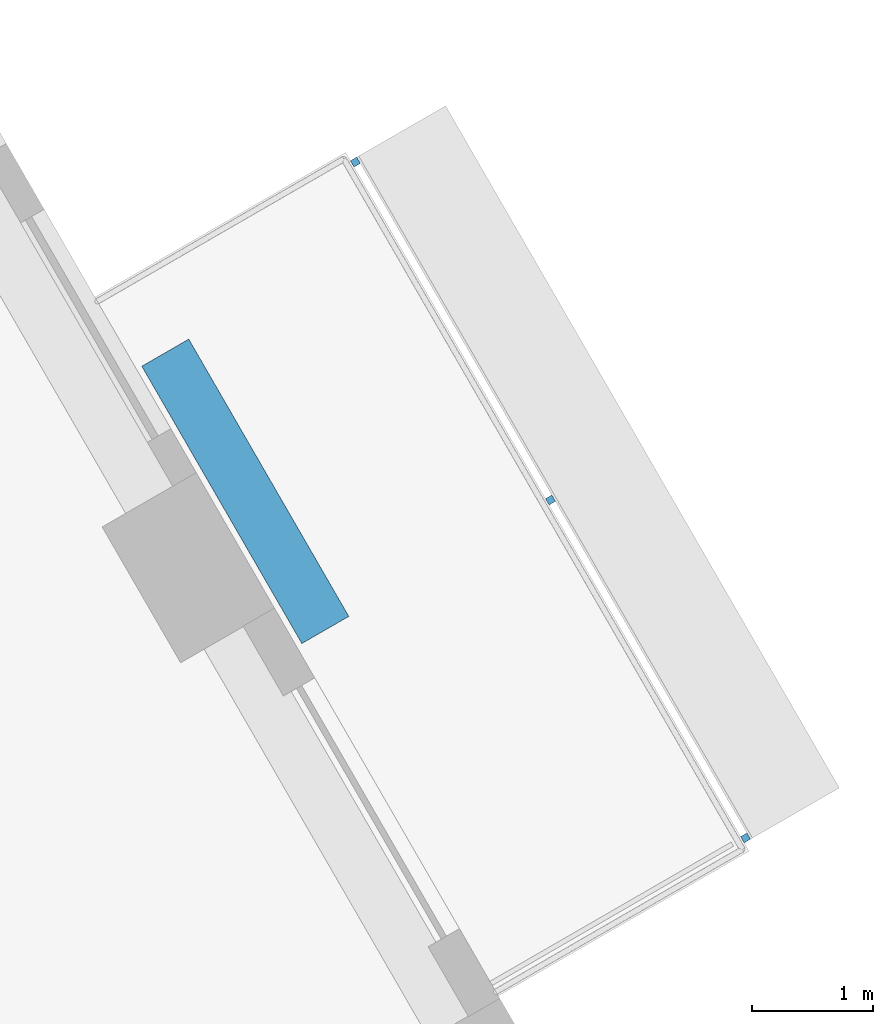
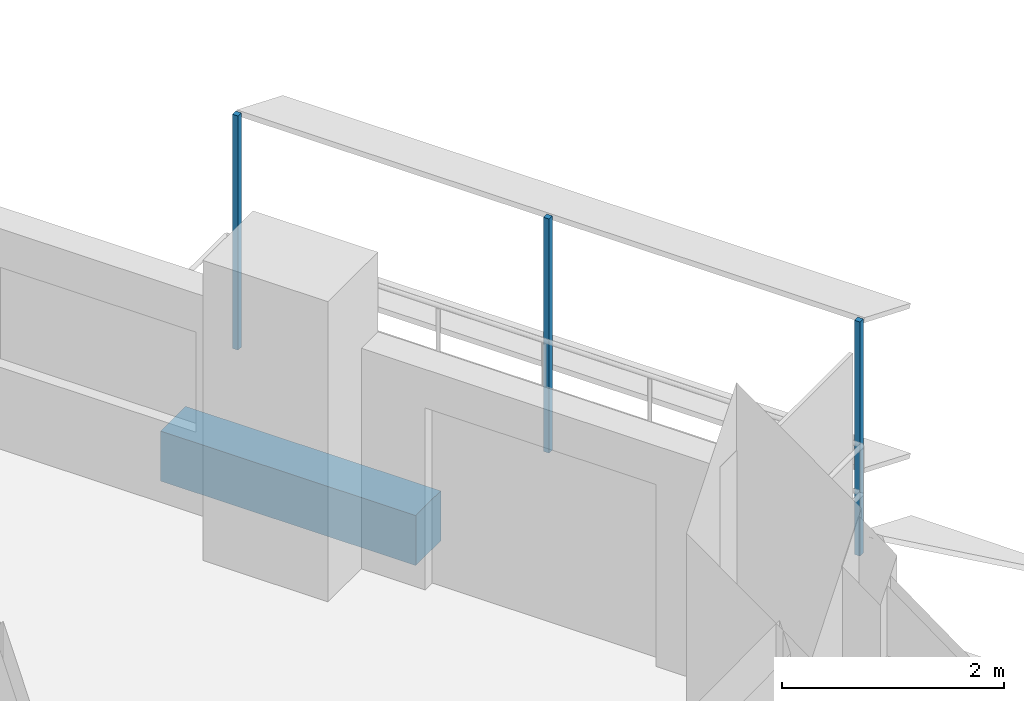
# One storey, part 11 of 14: 4 discrete accessories.
"""IFC4 building model written with IfcOpenShell, lengths in metres."""

from ifc_helpers import new_model, si_unit, direction, frame, origin, origin_2d, place, context, subcontext, project, spatial, rectangle, extrude, material, type_object, element, save


model = new_model("IFC4")

# Units and contexts
model_context = context("Model", 3, precision=1e-05, world=origin(), true_north=direction((0.0, 1.0)))
body_context = subcontext(model_context, "Body", "Model", "MODEL_VIEW")
ifc_project = project(units=[si_unit("LENGTHUNIT", "METRE"), si_unit("AREAUNIT", "SQUARE_METRE"), si_unit("VOLUMEUNIT", "CUBIC_METRE"), si_unit("PLANEANGLEUNIT", "RADIAN"), si_unit("MASSUNIT", "GRAM", prefix="KILO")], contexts=[model_context])

# Site, building, storey
site_placement = place(None, origin())
site = spatial("IfcSite", under=ifc_project, at=site_placement, CompositionType="ELEMENT")
building_placement = place(site_placement, origin())
building = spatial("IfcBuilding", under=site, at=building_placement, Name="Nakaniwa Court", CompositionType="ELEMENT")
storey_placement = place(building_placement, frame((0.0, 0.0, 127.199951171875)))
storey = spatial("IfcBuildingStorey", under=building, at=storey_placement, Name="L32", CompositionType="ELEMENT", Elevation=127.199951171875)

# Discrete accessories
ifc_material_1 = material(Name="Black powder-coated steel bracket S275", Category="steel")
discrete_accessory_type_1 = type_object("IfcDiscreteAccessoryType", Name="Black metal louvre bracket", PredefinedType="BRACKET", material=ifc_material_1)
for number, where, z_axis, x_axis, name in (
    (1, (104.927001953125, 89.68505859375, -0.229736328125), (0.0, 0.0, 1.0), (-0.499975815814, 0.866039366081, 0.0), "L32 louvre bracket 02 1"),
    (2, (103.309814453125, 92.486328125, -0.229736328125), (0.0, 0.0, 1.0), (-0.499975815814, 0.866039366081, 0.0), "L32 louvre bracket 02 2"),
    (3, (101.692626953125, 95.287353515625, -0.229736328125), (0.0, 0.0, 1.0), (-0.499975815814, 0.866039366081, 0.0), "L32 louvre bracket 02 3"),
):
    element("IfcDiscreteAccessory", number, at=place(storey_placement, frame(where, z_axis=z_axis, x_axis=x_axis)), inside=storey, type_object=discrete_accessory_type_1, Name=name, PredefinedType="BRACKET", context=body_context, shape_type="SweptSolid", body=[
        extrude(rectangle(XDim=0.06005859375, YDim=0.06005859375, at=origin_2d()), origin(), (0.0, 0.0, 1.0), 2.5751953125),
    ])
ifc_material_2 = material(Name="Precast concrete C40/50 planter with planted soil", Category="concrete")
discrete_accessory_type_2 = type_object("IfcDiscreteAccessoryType", Name="Planter box charcoal concrete", PredefinedType="USERDEFINED", material=ifc_material_2)
discrete_accessory_placement = place(storey_placement, frame((100.780029296875, 92.55810546875, -0.0498046875), z_axis=(0.0, 0.0, 1.0), x_axis=(-0.499975815814, 0.866039366081, 0.0)))
element("IfcDiscreteAccessory", 4, at=discrete_accessory_placement, inside=storey, type_object=discrete_accessory_type_2, Name="L32 balcony PLANTER 02", ObjectType="PLANTER", PredefinedType="USERDEFINED", context=body_context, shape_type="SweptSolid", body=[
    extrude(rectangle(XDim=2.654296875, YDim=0.449951171875, at=origin_2d()), origin(), (0.0, 0.0, 1.0), 0.550048828125),
])

save(model, "model.ifc")
